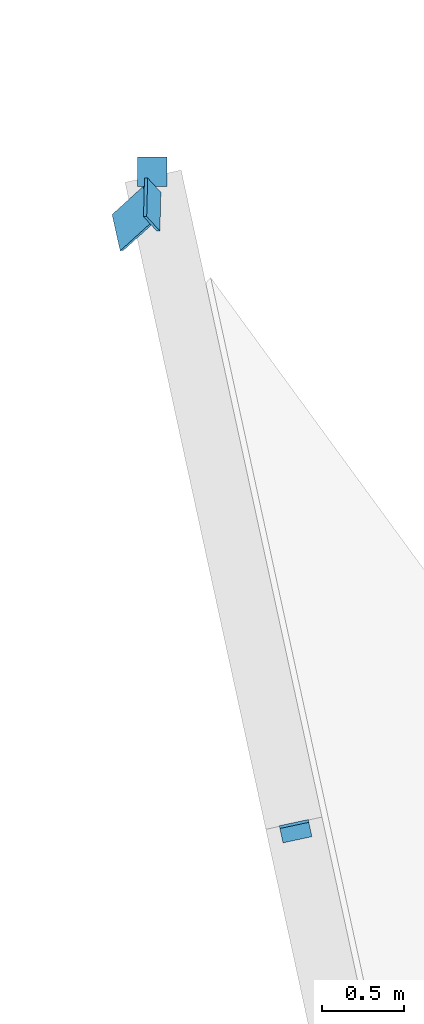
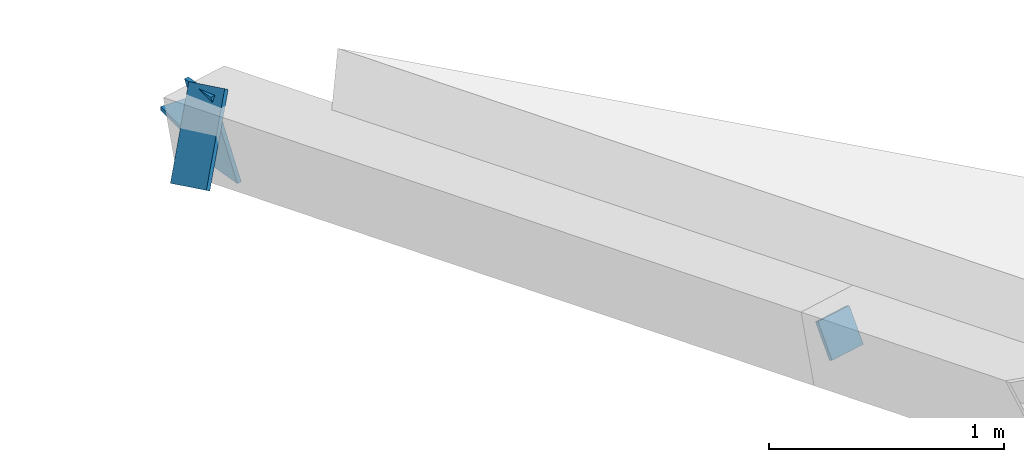
# One storey, part 134 of 188: 4 discrete accessories.
"""IFC4 building model written with IfcOpenShell, lengths in metres."""

from ifc_helpers import new_model, si_unit, direction, frame, origin, origin_2d, place, context, subcontext, project, spatial, rectangle, extrude, material, material_profile, profile_set, type_object, element, save


model = new_model("IFC4")

# Units and contexts
model_context = context("Model", 3, precision=1e-05, world=origin(), true_north=direction((0.0, 1.0)))
body_context = subcontext(model_context, "Body", "Model", "MODEL_VIEW")
ifc_project = project(units=[si_unit("LENGTHUNIT", "METRE"), si_unit("AREAUNIT", "SQUARE_METRE"), si_unit("VOLUMEUNIT", "CUBIC_METRE"), si_unit("PLANEANGLEUNIT", "RADIAN"), si_unit("MASSUNIT", "GRAM", prefix="KILO")], contexts=[model_context])

# Site, building, storey
site_placement = place(None, origin())
site = spatial("IfcSite", under=ifc_project, at=site_placement, CompositionType="ELEMENT")
building_placement = place(site_placement, origin())
building = spatial("IfcBuilding", under=site, at=building_placement, Name="Meseta Stadium", CompositionType="ELEMENT")
storey_placement = place(building_placement, frame((0.0, 0.0, 30.0)))
storey = spatial("IfcBuildingStorey", under=building, at=storey_placement, Name="ROOF", CompositionType="ELEMENT", Elevation=30.0)

# Discrete accessories
ifc_material_1 = material(Name="Steel S355", Category="steel")
ifc_material_profile_1 = material_profile(ifc_material_1, rectangle(XDim=0.179931640625, YDim=0.179931640625, at=origin_2d()), Name="PL 180x180")
ifc_profile_set_1 = profile_set([ifc_material_profile_1], Name="Steel S355")
discrete_accessory_type_1 = type_object("IfcDiscreteAccessoryType", Name="End plate 180x180x20", PredefinedType="ANCHORPLATE", material=ifc_profile_set_1)
for number, where, z_axis, x_axis, name in (
    (1, (14.3896484375, -65.8369140625, 0.693115234375), (0.0, 0.0, 1.0), (1.0, 0.0, 0.0), "End plate of ROOF TRUSS RT-48 post"),
    (2, (15.2626953125, -69.847900390625, 1.685546875), (0.181821521087, -0.84850043174, 0.496978824305), (0.977802414077, 0.209529088731, 0.0), "End plate of ROOF TRUSS RT-48 diagonal"),
):
    element("IfcDiscreteAccessory", number, at=place(storey_placement, frame(where, z_axis=z_axis, x_axis=x_axis)), inside=storey, type_object=discrete_accessory_type_1, Name=name, PredefinedType="ANCHORPLATE", context=body_context, shape_type="SweptSolid", body=[
        extrude(rectangle(XDim=0.179931640625, YDim=0.179931640625, at=origin_2d()), origin(), (0.0, 0.0, 1.0), 0.02001953125),
    ])
ifc_material_2 = material(Name="Steel S355", Category="steel")
ifc_material_profile_2 = material_profile(ifc_material_2, rectangle(XDim=0.239990234375, YDim=0.43994140625, at=origin_2d()), Name="PL 240x440")
ifc_profile_set_2 = profile_set([ifc_material_profile_2], Name="Steel S355")
discrete_accessory_type_2 = type_object("IfcDiscreteAccessoryType", Name="End plate 240x440x20", PredefinedType="ANCHORPLATE", material=ifc_profile_set_2)
discrete_accessory_1_placement = place(storey_placement, frame((14.38037109375, -66.03564453125, 0.7314453125), z_axis=(0.982798016298, 0.012284975204, 0.184274628056), x_axis=(0.024859782923, 0.979904406393, -0.197912469349)))
element("IfcDiscreteAccessory", 3, at=discrete_accessory_1_placement, inside=storey, type_object=discrete_accessory_type_2, Name="End plate of TIP RING BEAM 48", PredefinedType="ANCHORPLATE", context=body_context, shape_type="SweptSolid", body=[
    extrude(rectangle(XDim=0.239990234375, YDim=0.43994140625, at=origin_2d()), origin(), (0.0, 0.0, 1.0), 0.019775390625),
])
discrete_accessory_2_placement = place(storey_placement, frame((14.26513671875, -66.12158203125, 0.79931640625), z_axis=(0.879029804347, 0.024417494565, -0.476141144021), x_axis=(-0.205226203373, 0.920806703596, -0.331658288095)))
element("IfcDiscreteAccessory", 4, at=discrete_accessory_2_placement, inside=storey, type_object=discrete_accessory_type_2, Name="End plate of TIP RING BEAM 49", PredefinedType="ANCHORPLATE", context=body_context, shape_type="SweptSolid", body=[
    extrude(rectangle(XDim=0.239990234375, YDim=0.43994140625, at=origin_2d()), origin(), (0.0, 0.0, 1.0), 0.02001953125),
])

save(model, "model.ifc")
